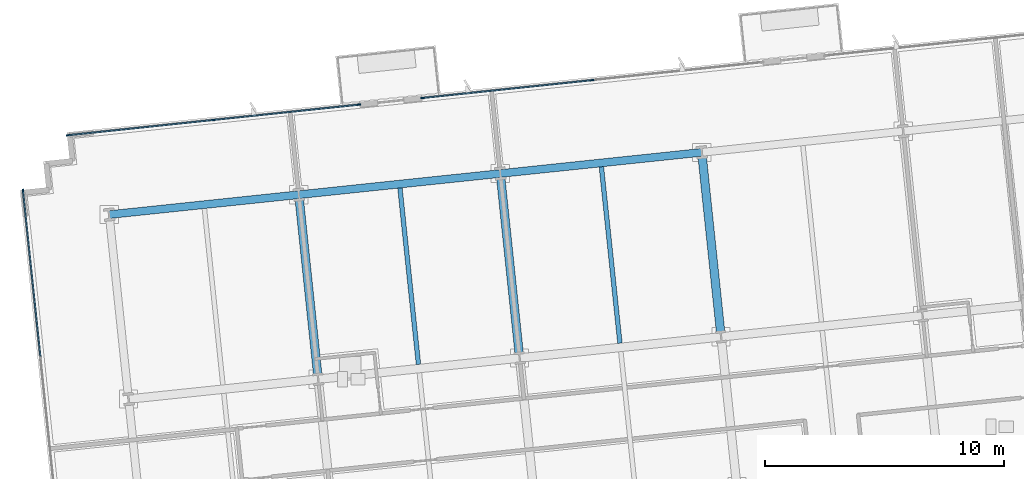
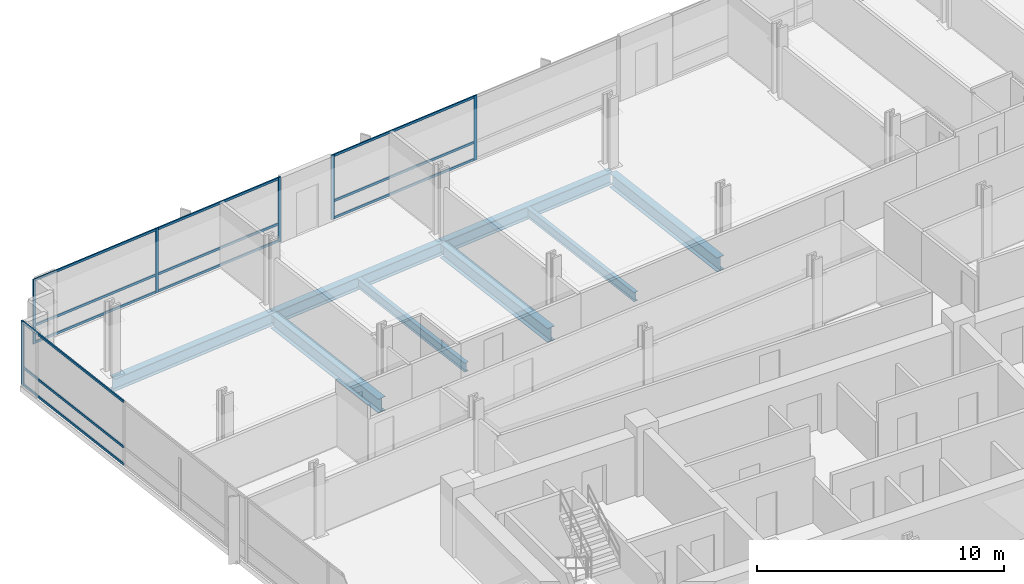
# One storey, part 9 of 20: 18 members, 8 beams, 3 elements without a shape of their own.
"""IFC4 building model written with IfcOpenShell, lengths in metres."""

from ifc_helpers import new_model, si_unit, direction, frame, origin, origin_2d, place, context, subcontext, project, spatial, rectangle, i_section, extrude, material, material_profile, profile_set, type_object, element, aggregate, save


model = new_model("IFC4")

# Units and contexts
model_context = context("Model", 3, precision=1e-05, world=origin(), true_north=direction((0.0, 1.0)))
body_context = subcontext(model_context, "Body", "Model", "MODEL_VIEW")
ifc_project = project(units=[si_unit("LENGTHUNIT", "METRE"), si_unit("AREAUNIT", "SQUARE_METRE"), si_unit("VOLUMEUNIT", "CUBIC_METRE"), si_unit("PLANEANGLEUNIT", "RADIAN"), si_unit("MASSUNIT", "GRAM", prefix="KILO")], contexts=[model_context])

# Site, building, storey
site_placement = place(None, origin())
site = spatial("IfcSite", under=ifc_project, at=site_placement, CompositionType="ELEMENT")
building_placement = place(site_placement, origin())
building = spatial("IfcBuilding", under=site, at=building_placement, Name="Solmavex Isthmus Hotel", CompositionType="ELEMENT")
storey_placement = place(building_placement, frame((0.0, 0.0, 109.800048828125)))
storey = spatial("IfcBuildingStorey", under=building, at=storey_placement, Name="L29", CompositionType="ELEMENT", Elevation=109.800048828125)

# Beams
ifc_material_1 = material(Name="Steel ASTM A992 Grade 50", Category="steel")
ifc_material_profile_1 = material_profile(ifc_material_1, i_section(OverallWidth=0.354736328125, OverallDepth=0.695556640625, WebThickness=0.015380859375, FlangeThickness=0.02490234375, FilletRadius=0.017822265625, at=origin_2d()), Name="W27X146")
ifc_profile_set_1 = profile_set([ifc_material_profile_1], Name="Steel ASTM A992 Grade 50")
beam_type_1 = type_object("IfcBeamType", Name="BM-BG-W27X146", PredefinedType="BEAM", material=ifc_profile_set_1)
for number, where, z_axis, x_axis, name in (
    (1, (-13.135498046875, 8.55859375, -0.60791015625), (-0.1045578893, 0.994518802128, 0.0), (-0.994518802128, -0.1045578893, 0.0), "Floor Beam L29-VG31"),
    (2, (-4.716064453125, 9.443603515625, -0.60791015625), (-0.104525307271, 0.994522227072, 0.0), (-0.994522227072, -0.104525307271, 0.0), "Floor Beam L29-VG35"),
):
    element("IfcBeam", number, at=place(storey_placement, frame(where, z_axis=z_axis, x_axis=x_axis)), inside=storey, type_object=beam_type_1, Name=name, PredefinedType="BEAM", context=body_context, shape_type="SweptSolid", body=[
        extrude(i_section(OverallWidth=0.354736328125, OverallDepth=0.695556640625, WebThickness=0.015380859375, FlangeThickness=0.02490234375, FilletRadius=0.017822265625, at=origin_2d()), origin(), (0.0, 0.0, 1.0), 7.4111328125),
    ])
beam_1_placement = place(storey_placement, frame((3.70361328125, 10.328369140625, -0.60791015625), z_axis=(-0.10452188296, 0.994522586964, 0.0), x_axis=(-0.994522586964, -0.10452188296, 0.0)))
element("IfcBeam", 3, at=beam_1_placement, inside=storey, type_object=beam_type_1, Name="Floor Beam L29-VG39", PredefinedType="BEAM", context=body_context, shape_type="SweptSolid", body=[
    extrude(i_section(OverallWidth=0.354736328125, OverallDepth=0.695556640625, WebThickness=0.015380859375, FlangeThickness=0.02490234375, FilletRadius=0.017822265625, at=origin_2d()), origin(), (0.0, 0.0, 1.0), 7.411376953125),
])
ifc_material_profile_2 = material_profile(ifc_material_1, i_section(OverallWidth=0.1904296875, OverallDepth=0.456787109375, WebThickness=0.009033203125, FlangeThickness=0.014404296875, FilletRadius=0.0126953125, at=origin_2d()), Name="W18X50")
ifc_profile_set_2 = profile_set([ifc_material_profile_2], Name="Steel ASTM A992 Grade 50")
beam_type_2 = type_object("IfcBeamType", Name="BM-BJ-W18X50", PredefinedType="JOIST", material=ifc_profile_set_2)
beam_2_placement = place(storey_placement, frame((-8.92578125, 9.0009765625, -0.488525390625), z_axis=(-0.10452188296, 0.994522586964, 0.0), x_axis=(-0.994522586964, -0.10452188296, 0.0)))
element("IfcBeam", 4, at=beam_2_placement, inside=storey, type_object=beam_type_2, Name="Secondary Floor Joist L29-J08", PredefinedType="JOIST", context=body_context, shape_type="SweptSolid", body=[
    extrude(i_section(OverallWidth=0.1904296875, OverallDepth=0.456787109375, WebThickness=0.009033203125, FlangeThickness=0.014404296875, FilletRadius=0.0126953125, at=origin_2d()), origin(), (0.0, 0.0, 1.0), 7.411376953125),
])
beam_3_placement = place(storey_placement, frame((-0.506103515625, 9.885986328125, -0.488525390625), z_axis=(-0.104525307271, 0.994522227072, 0.0), x_axis=(-0.994522227072, -0.104525307271, 0.0)))
element("IfcBeam", 5, at=beam_3_placement, inside=storey, type_object=beam_type_2, Name="Secondary Floor Joist L29-J12", PredefinedType="JOIST", context=body_context, shape_type="SweptSolid", body=[
    extrude(i_section(OverallWidth=0.1904296875, OverallDepth=0.456787109375, WebThickness=0.009033203125, FlangeThickness=0.014404296875, FilletRadius=0.0126953125, at=origin_2d()), origin(), (0.0, 0.0, 1.0), 7.4111328125),
])
ifc_material_profile_3 = material_profile(ifc_material_1, i_section(OverallWidth=0.326416015625, OverallDepth=0.621826171875, WebThickness=0.015380859375, FlangeThickness=0.0244140625, FilletRadius=0.01513671875, at=origin_2d()), Name="W24X131")
ifc_profile_set_3 = profile_set([ifc_material_profile_3], Name="Steel ASTM A992 Grade 50")
beam_type_3 = type_object("IfcBeamType", Name="BM-SP-W24X131", PredefinedType="SPANDREL", material=ifc_profile_set_3)
beam_4_placement = place(storey_placement, frame((-21.851806640625, 15.2587890625, -0.571044921875), z_axis=(0.994523402738, 0.104514120609, 0.0), x_axis=(-0.104514120609, 0.994523402738, 0.0)))
element("IfcBeam", 6, at=beam_4_placement, inside=storey, type_object=beam_type_3, Name="Floor Girder L29-UG19", PredefinedType="SPANDREL", context=body_context, shape_type="SweptSolid", body=[
    extrude(i_section(OverallWidth=0.326416015625, OverallDepth=0.621826171875, WebThickness=0.015380859375, FlangeThickness=0.0244140625, FilletRadius=0.01513671875, at=origin_2d()), origin(), (0.0, 0.0, 1.0), 7.968017578125),
])
for number, where, z_axis, x_axis, name in (
    (7, (-13.927490234375, 16.091552734375, -0.571044921875), (0.994521085209, 0.104536171134, 0.0), (-0.104536171134, 0.994521085209, 0.0), "Floor Girder L29-UG20"),
    (8, (-5.5078125, 16.9765625, -0.571044921875), (0.994521085209, 0.104536171134, 0.0), (-0.104536171134, 0.994521085209, 0.0), "Floor Girder L29-UG21"),
):
    element("IfcBeam", number, at=place(storey_placement, frame(where, z_axis=z_axis, x_axis=x_axis)), inside=storey, type_object=beam_type_3, Name=name, PredefinedType="SPANDREL", context=body_context, shape_type="SweptSolid", body=[
        extrude(i_section(OverallWidth=0.326416015625, OverallDepth=0.621826171875, WebThickness=0.015380859375, FlangeThickness=0.0244140625, FilletRadius=0.01513671875, at=origin_2d()), origin(), (0.0, 0.0, 1.0), 8.466064453125),
    ])

# Curtain wall, members
ifc_material_2 = material(Name="Aluminium alloy 6063-T6", Category="aluminium")
curtain_wall_type = type_object("IfcCurtainWallType", Name="CW-SYS-06", PredefinedType="NOTDEFINED", material=ifc_material_2)
curtain_wall_1_placement = place(storey_placement, origin())
curtain_wall_1 = element("IfcCurtainWall", 9, at=curtain_wall_1_placement, inside=storey, type_object=curtain_wall_type, Name="Stick Curtain Wall CWL-L29-N1", PredefinedType="NOTDEFINED")
ifc_material_profile_4 = material_profile(ifc_material_2, rectangle(XDim=0.06005859375, YDim=0.139892578125, at=origin_2d()), Name="CWM-60X140")
ifc_profile_set_4 = profile_set([ifc_material_profile_4], Name="Aluminium alloy 6063-T6")
member_type_1 = type_object("IfcMemberType", Name="CW-SYS-06-MUL", PredefinedType="MULLION", material=ifc_profile_set_4)
member_1_placement = place(storey_placement, frame((-23.577880859375, 18.576416015625, 0.0), z_axis=(0.0, 0.0, 1.0), x_axis=(-0.104528123665, 0.994521931062, 0.0)))
member_1 = element("IfcMember", 10, at=member_1_placement, type_object=member_type_1, Name="CW-06 mullion 1", PredefinedType="MULLION", context=body_context, shape_type="SweptSolid", body=[
    extrude(rectangle(XDim=0.06005859375, YDim=0.139892578125, at=origin_2d()), origin(), (0.0, 0.0, 1.0), 3.18994140625),
])
member_2_placement = place(storey_placement, frame((-17.490966796875, 19.21630859375, 0.0), z_axis=(0.0, 0.0, 1.0), x_axis=(-0.104528123665, 0.994521931062, 0.0)))
member_2 = element("IfcMember", 11, at=member_2_placement, type_object=member_type_1, Name="CW-06 mullion 2", PredefinedType="MULLION", context=body_context, shape_type="SweptSolid", body=[
    extrude(rectangle(XDim=0.06005859375, YDim=0.139892578125, at=origin_2d()), origin(), (0.0, 0.0, 1.0), 3.18994140625),
])
member_3_placement = place(storey_placement, frame((-11.404052734375, 19.85595703125, 0.0), z_axis=(0.0, 0.0, 1.0), x_axis=(-0.104528123665, 0.994521931062, 0.0)))
member_3 = element("IfcMember", 12, at=member_3_placement, type_object=member_type_1, Name="CW-06 mullion 3", PredefinedType="MULLION", context=body_context, shape_type="SweptSolid", body=[
    extrude(rectangle(XDim=0.06005859375, YDim=0.139892578125, at=origin_2d()), origin(), (0.0, 0.0, 1.0), 3.18994140625),
])

curtain_wall_2_placement = place(storey_placement, origin())
curtain_wall_2 = element("IfcCurtainWall", 13, at=curtain_wall_2_placement, inside=storey, type_object=curtain_wall_type, Name="Stick Curtain Wall CWL-L29-N2", PredefinedType="NOTDEFINED")
member_4_placement = place(storey_placement, frame((-8.758544921875, 20.134033203125, 0.0), z_axis=(0.0, 0.0, 1.0), x_axis=(-0.104528313766, 0.994521911082, 0.0)))
member_4 = element("IfcMember", 14, at=member_4_placement, type_object=member_type_1, Name="CW-06 mullion 1", PredefinedType="MULLION", context=body_context, shape_type="SweptSolid", body=[
    extrude(rectangle(XDim=0.06005859375, YDim=0.139892578125, at=origin_2d()), origin(), (0.0, 0.0, 1.0), 3.18994140625),
])
member_5_placement = place(storey_placement, frame((-1.66162109375, 20.8798828125, 0.0), z_axis=(0.0, 0.0, 1.0), x_axis=(-0.104528313766, 0.994521911082, 0.0)))
member_5 = element("IfcMember", 15, at=member_5_placement, type_object=member_type_1, Name="CW-06 mullion 2", PredefinedType="MULLION", context=body_context, shape_type="SweptSolid", body=[
    extrude(rectangle(XDim=0.06005859375, YDim=0.139892578125, at=origin_2d()), origin(), (0.0, 0.0, 1.0), 3.18994140625),
])

# Curtain wall, member
curtain_wall_3_placement = place(storey_placement, origin())
curtain_wall_3 = element("IfcCurtainWall", 16, at=curtain_wall_3_placement, inside=storey, type_object=curtain_wall_type, Name="Stick Curtain Wall CWL-L29-W1", PredefinedType="NOTDEFINED")
member_6_placement = place(storey_placement, frame((-25.455810546875, 16.257568359375, 0.0), z_axis=(0.0, 0.0, 1.0), x_axis=(-0.994521893044, -0.104528485381, 0.0)))
member_6 = element("IfcMember", 17, at=member_6_placement, type_object=member_type_1, Name="CW-06 mullion 6", PredefinedType="MULLION", context=body_context, shape_type="SweptSolid", body=[
    extrude(rectangle(XDim=0.06005859375, YDim=0.139892578125, at=origin_2d()), origin(), (0.0, 0.0, 1.0), 3.18994140625),
])

# Member
ifc_material_profile_5 = material_profile(ifc_material_2, rectangle(XDim=0.06005859375, YDim=0.114990234375, at=origin_2d()), Name="CWT-60X115")
ifc_profile_set_5 = profile_set([ifc_material_profile_5], Name="Aluminium alloy 6063-T6")
member_type_2 = type_object("IfcMemberType", Name="CW-SYS-06-TRN", PredefinedType="USERDEFINED", material=ifc_profile_set_5)
member_7_placement = place(storey_placement, frame((-23.548095703125, 18.57958984375, 0.057373046875), z_axis=(0.994521113747, 0.104535899634, 0.0), x_axis=(-0.104535899634, 0.994521113747, 0.0)))
member_7 = element("IfcMember", 18, at=member_7_placement, type_object=member_type_2, Name="CW-06 transom 1.1", ObjectType="TRANSOM", PredefinedType="USERDEFINED", context=body_context, shape_type="SweptSolid", body=[
    extrude(rectangle(XDim=0.06005859375, YDim=0.114990234375, at=origin_2d()), origin(), (0.0, 0.0, 1.0), 6.060546875),
])

member_8_placement = place(storey_placement, frame((-23.548095703125, 18.57958984375, 0.89990234375), z_axis=(0.994521113747, 0.104535899634, 0.0), x_axis=(-0.104535899634, 0.994521113747, 0.0)))
member_8 = element("IfcMember", 19, at=member_8_placement, type_object=member_type_2, Name="CW-06 transom 1.2", ObjectType="TRANSOM", PredefinedType="USERDEFINED", context=body_context, shape_type="SweptSolid", body=[
    extrude(rectangle(XDim=0.06005859375, YDim=0.114990234375, at=origin_2d()), origin(), (0.0, 0.0, 1.0), 6.060546875),
])

member_9_placement = place(storey_placement, frame((-23.548095703125, 18.57958984375, 3.132568359375), z_axis=(0.994521113747, 0.104535899634, 0.0), x_axis=(-0.104535899634, 0.994521113747, 0.0)))
member_9 = element("IfcMember", 20, at=member_9_placement, type_object=member_type_2, Name="CW-06 transom 1.3", ObjectType="TRANSOM", PredefinedType="USERDEFINED", context=body_context, shape_type="SweptSolid", body=[
    extrude(rectangle(XDim=0.06005859375, YDim=0.114990234375, at=origin_2d()), origin(), (0.0, 0.0, 1.0), 6.060546875),
])

member_10_placement = place(storey_placement, frame((-17.461181640625, 19.219482421875, 0.057373046875), z_axis=(0.994525300975, 0.104496056008, 0.0), x_axis=(-0.104496056008, 0.994525300975, 0.0)))
member_10 = element("IfcMember", 21, at=member_10_placement, type_object=member_type_2, Name="CW-06 transom 2.1", ObjectType="TRANSOM", PredefinedType="USERDEFINED", context=body_context, shape_type="SweptSolid", body=[
    extrude(rectangle(XDim=0.06005859375, YDim=0.114990234375, at=origin_2d()), origin(), (0.0, 0.0, 1.0), 6.060546875),
])

member_11_placement = place(storey_placement, frame((-17.461181640625, 19.219482421875, 0.89990234375), z_axis=(0.994525300975, 0.104496056008, 0.0), x_axis=(-0.104496056008, 0.994525300975, 0.0)))
member_11 = element("IfcMember", 22, at=member_11_placement, type_object=member_type_2, Name="CW-06 transom 2.2", ObjectType="TRANSOM", PredefinedType="USERDEFINED", context=body_context, shape_type="SweptSolid", body=[
    extrude(rectangle(XDim=0.06005859375, YDim=0.114990234375, at=origin_2d()), origin(), (0.0, 0.0, 1.0), 6.060546875),
])

member_12_placement = place(storey_placement, frame((-17.461181640625, 19.219482421875, 3.132568359375), z_axis=(0.994525300975, 0.104496056008, 0.0), x_axis=(-0.104496056008, 0.994525300975, 0.0)))
member_12 = element("IfcMember", 23, at=member_12_placement, type_object=member_type_2, Name="CW-06 transom 2.3", ObjectType="TRANSOM", PredefinedType="USERDEFINED", context=body_context, shape_type="SweptSolid", body=[
    extrude(rectangle(XDim=0.06005859375, YDim=0.114990234375, at=origin_2d()), origin(), (0.0, 0.0, 1.0), 6.060546875),
])

aggregate(curtain_wall_1, [member_1, member_2, member_3, member_7, member_8, member_9, member_10, member_11, member_12])

member_13_placement = place(storey_placement, frame((-8.728759765625, 20.13720703125, 0.057373046875), z_axis=(0.994520189627, 0.104544691041, 0.0), x_axis=(-0.104544691041, 0.994520189627, 0.0)))
member_13 = element("IfcMember", 24, at=member_13_placement, type_object=member_type_2, Name="CW-06 transom 1.1", ObjectType="TRANSOM", PredefinedType="USERDEFINED", context=body_context, shape_type="SweptSolid", body=[
    extrude(rectangle(XDim=0.06005859375, YDim=0.114990234375, at=origin_2d()), origin(), (0.0, 0.0, 1.0), 7.075927734375),
])

member_14_placement = place(storey_placement, frame((-8.728759765625, 20.13720703125, 0.89990234375), z_axis=(0.994520189627, 0.104544691041, 0.0), x_axis=(-0.104544691041, 0.994520189627, 0.0)))
member_14 = element("IfcMember", 25, at=member_14_placement, type_object=member_type_2, Name="CW-06 transom 1.2", ObjectType="TRANSOM", PredefinedType="USERDEFINED", context=body_context, shape_type="SweptSolid", body=[
    extrude(rectangle(XDim=0.06005859375, YDim=0.114990234375, at=origin_2d()), origin(), (0.0, 0.0, 1.0), 7.075927734375),
])

member_15_placement = place(storey_placement, frame((-8.728759765625, 20.13720703125, 3.132568359375), z_axis=(0.994520189627, 0.104544691041, 0.0), x_axis=(-0.104544691041, 0.994520189627, 0.0)))
member_15 = element("IfcMember", 26, at=member_15_placement, type_object=member_type_2, Name="CW-06 transom 1.3", ObjectType="TRANSOM", PredefinedType="USERDEFINED", context=body_context, shape_type="SweptSolid", body=[
    extrude(rectangle(XDim=0.06005859375, YDim=0.114990234375, at=origin_2d()), origin(), (0.0, 0.0, 1.0), 7.075927734375),
])

aggregate(curtain_wall_2, [member_4, member_5, member_13, member_14, member_15])

member_16_placement = place(storey_placement, frame((-24.728271484375, 9.335693359375, 0.057373046875), z_axis=(-0.10452523802, 0.99452223435, 0.0), x_axis=(-0.99452223435, -0.10452523802, 0.0)))
member_16 = element("IfcMember", 27, at=member_16_placement, type_object=member_type_2, Name="CW-06 transom 5.1", ObjectType="TRANSOM", PredefinedType="USERDEFINED", context=body_context, shape_type="SweptSolid", body=[
    extrude(rectangle(XDim=0.06005859375, YDim=0.114990234375, at=origin_2d()), origin(), (0.0, 0.0, 1.0), 6.929931640625),
])

member_17_placement = place(storey_placement, frame((-24.728271484375, 9.335693359375, 0.89990234375), z_axis=(-0.10452523802, 0.99452223435, 0.0), x_axis=(-0.99452223435, -0.10452523802, 0.0)))
member_17 = element("IfcMember", 28, at=member_17_placement, type_object=member_type_2, Name="CW-06 transom 5.2", ObjectType="TRANSOM", PredefinedType="USERDEFINED", context=body_context, shape_type="SweptSolid", body=[
    extrude(rectangle(XDim=0.06005859375, YDim=0.114990234375, at=origin_2d()), origin(), (0.0, 0.0, 1.0), 6.929931640625),
])

member_18_placement = place(storey_placement, frame((-24.728271484375, 9.335693359375, 3.132568359375), z_axis=(-0.10452523802, 0.99452223435, 0.0), x_axis=(-0.99452223435, -0.10452523802, 0.0)))
member_18 = element("IfcMember", 29, at=member_18_placement, type_object=member_type_2, Name="CW-06 transom 5.3", ObjectType="TRANSOM", PredefinedType="USERDEFINED", context=body_context, shape_type="SweptSolid", body=[
    extrude(rectangle(XDim=0.06005859375, YDim=0.114990234375, at=origin_2d()), origin(), (0.0, 0.0, 1.0), 6.929931640625),
])

aggregate(curtain_wall_3, [member_6, member_16, member_17, member_18])

save(model, "model.ifc")
